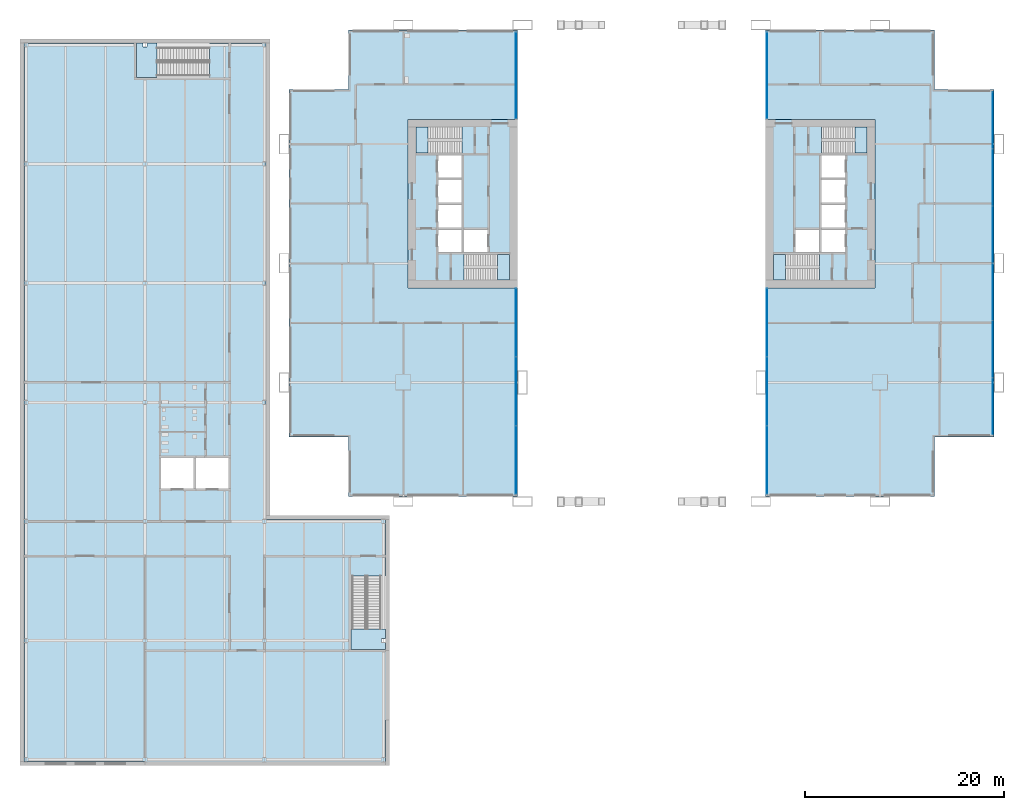
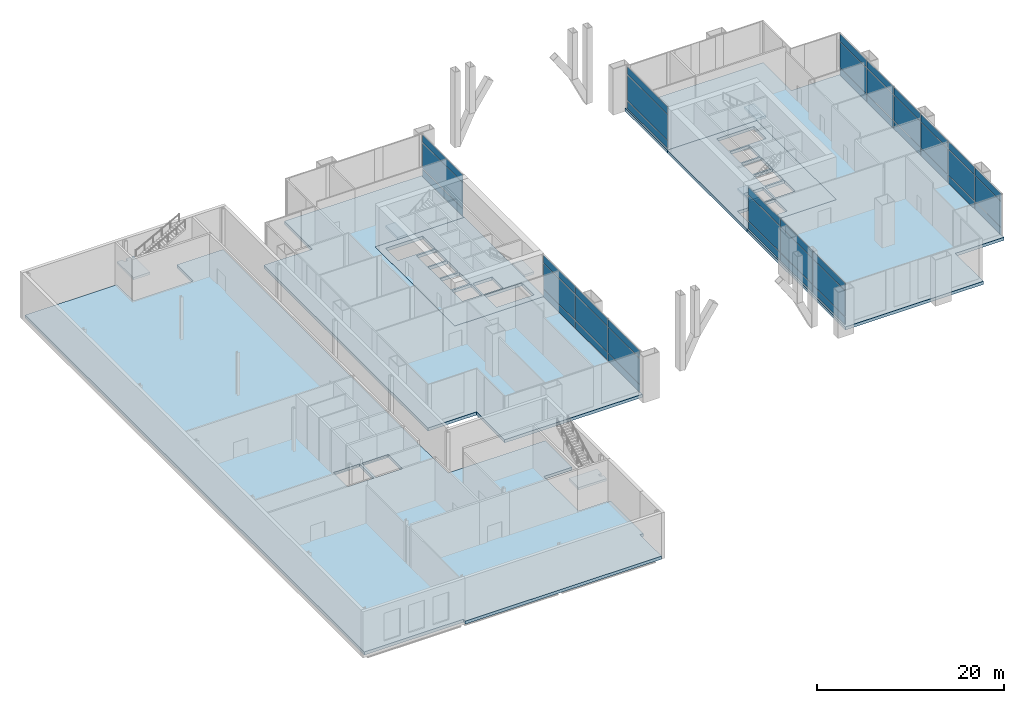
# One storey, part 15 of 25: 42 plates, 11 slabs, 11 elements without a shape of their own.
"""IFC4 building model written with IfcOpenShell, lengths in metres."""

import ifcopenshell
import ifcopenshell.guid

model = None  # the IFC model being written
_history = None  # IfcOwnerHistory: only IFC2X3 demands one
_inside = {}  # id of a spatial element -> (the spatial element, [elements in it])
_under = {}  # id of a project, library or spatial element -> (it, [spatial elements below it])
_declared = {}  # id of a project -> (the project, [libraries it declares])
_typed = {}  # id of a type object -> (the type object, [elements of that type])
_made_of = {}  # id of a material, layer set ... -> (it, [elements and type objects made of it])


def new_model(schema):
    """Start an empty IFC model of exactly this schema.

    Asked for "IFC4X3", IfcOpenShell would pick the latest addendum, in which some entities
    have other attributes; the version numbers below select the first issue.
    IFC2X3 requires an IfcOwnerHistory on every rooted entity: one is made here for all.
    """
    global model, _history
    if schema == "IFC4X3":
        model = ifcopenshell.file(schema_version=(4, 3, 0, 0))
    else:
        model = ifcopenshell.file(schema=schema)
    _inside.clear()
    _under.clear()
    _declared.clear()
    _typed.clear()
    _made_of.clear()
    _history = None
    if model.schema == "IFC2X3":
        org = make("IfcOrganization", Name="unknown")
        user = make(
            "IfcPersonAndOrganization",
            ThePerson=make("IfcPerson", FamilyName="unknown"),
            TheOrganization=org,
        )
        app = make(
            "IfcApplication",
            ApplicationDeveloper=org,
            Version="unknown",
            ApplicationFullName="unknown",
            ApplicationIdentifier="unknown",
        )
        _history = make(
            "IfcOwnerHistory",
            OwningUser=user,
            OwningApplication=app,
            ChangeAction="ADDED",
            CreationDate=0,
        )
    return model


def make(cls, **values):
    """One entity of the class cls with the attributes given. An attribute that is None is left unset."""
    return model.create_entity(
        cls, **{name: value for name, value in values.items() if value is not None}
    )


def rooted(cls, **values):
    """An entity with a GlobalId (a new one), such as an element, a storey or a relation."""
    return make(cls, GlobalId=ifcopenshell.guid.new(), OwnerHistory=_history, **values)


def si_unit(unit_type, name, prefix=None):
    """IfcSIUnit, for example si_unit("LENGTHUNIT", "METRE", prefix="MILLI")."""
    return make("IfcSIUnit", UnitType=unit_type, Prefix=prefix, Name=name)


def assignment(units):
    """IfcUnitAssignment: the units of a project."""
    return None if units is None else make("IfcUnitAssignment", Units=units)


def point(xyz):
    """IfcCartesianPoint."""
    return None if xyz is None else make("IfcCartesianPoint", Coordinates=xyz)


def direction(xyz):
    """IfcDirection."""
    return None if xyz is None else make("IfcDirection", DirectionRatios=xyz)


def frame(location, z_axis=None, x_axis=None):
    """IfcAxis2Placement3D, a coordinate frame: its origin and axes. An axis left out is left unset."""
    return make(
        "IfcAxis2Placement3D",
        Location=point(location),
        Axis=direction(z_axis),
        RefDirection=direction(x_axis),
    )


def frame_2d(location, x_axis=None):
    """IfcAxis2Placement2D, a coordinate frame in the plane: its origin and x axis."""
    return make(
        "IfcAxis2Placement2D", Location=point(location), RefDirection=direction(x_axis)
    )


def origin():
    """The frame at (0, 0, 0) with its axes left unset."""
    return frame((0.0, 0.0, 0.0))


def origin_2d():
    """The frame at (0, 0) in the plane with its x axis left unset."""
    return frame_2d((0.0, 0.0))


def place(relative_to, where):
    """IfcLocalPlacement: puts the frame where relative to a parent placement (None: the world)."""
    return make(
        "IfcLocalPlacement", PlacementRelTo=relative_to, RelativePlacement=where
    )


def context(
    kind, dimensions, precision=None, world=None, true_north=None, identifier=None
):
    """IfcGeometricRepresentationContext, for example the 3D "Model" context."""
    return make(
        "IfcGeometricRepresentationContext",
        ContextIdentifier=identifier,
        ContextType=kind,
        CoordinateSpaceDimension=dimensions,
        Precision=precision,
        WorldCoordinateSystem=world,
        TrueNorth=true_north,
    )


def subcontext(parent, identifier, kind, view, scale=None):
    """IfcGeometricRepresentationSubContext, for example "Body" below "Model"."""
    return make(
        "IfcGeometricRepresentationSubContext",
        ContextIdentifier=identifier,
        ContextType=kind,
        ParentContext=parent,
        TargetScale=scale,
        TargetView=view,
    )


def project(units=None, contexts=None):
    """IfcProject with its units and contexts."""
    return rooted(
        "IfcProject",
        Name="project",
        RepresentationContexts=contexts,
        UnitsInContext=assignment(units),
    )


def spatial(cls, under=None, at=None, **own):
    """A site, building, storey or space (cls), placed at a placement, below another one or the project."""
    s = rooted(cls, ObjectPlacement=at, **own)
    if under is not None:
        _under.setdefault(under.id(), (under, []))[1].append(s)
    return s


def polyline(points):
    """IfcPolyline through the points."""
    return make("IfcPolyline", Points=[point(p) for p in points])


def profile(cls, at=None, kind="AREA", **sizes):
    """A parametric profile (cls). Its sizes go by their IFC names, for example OverallWidth=200.0."""
    return make(cls, ProfileType=kind, Position=at, **sizes)


def rectangle(**sizes):
    """IfcRectangleProfileDef."""
    return profile("IfcRectangleProfileDef", **sizes)


def outline(outer, holes=None, kind="AREA"):
    """IfcArbitraryClosedProfileDef: a profile drawn as a closed curve; with holes, ...WithVoids."""
    if holes is None:
        return make("IfcArbitraryClosedProfileDef", ProfileType=kind, OuterCurve=outer)
    return make(
        "IfcArbitraryProfileDefWithVoids",
        ProfileType=kind,
        OuterCurve=outer,
        InnerCurves=holes,
    )


def extrude(swept, where, along, depth):
    """IfcExtrudedAreaSolid: the profile swept, set in the frame where, extruded along a direction by depth."""
    return make(
        "IfcExtrudedAreaSolid",
        SweptArea=swept,
        Position=where,
        ExtrudedDirection=direction(along),
        Depth=depth,
    )


def shape(context_of_items, identifier, shape_type, items):
    """IfcShapeRepresentation: the items that make up one representation, for example the "Body"."""
    return make(
        "IfcShapeRepresentation",
        ContextOfItems=context_of_items,
        RepresentationIdentifier=identifier,
        RepresentationType=shape_type,
        Items=items,
    )


def material(Name=None, Category=None):
    """IfcMaterial."""
    return make("IfcMaterial", Name=Name, Category=Category)


def layer(
    of_material, thickness, ventilated=None, Name=None, Category=None, Priority=None
):
    """IfcMaterialLayer: one layer of a wall or slab, of a material (None: an air gap)."""
    return make(
        "IfcMaterialLayer",
        Material=of_material,
        LayerThickness=thickness,
        IsVentilated=ventilated,
        Name=Name,
        Category=Category,
        Priority=Priority,
    )


def layer_set(layers, Name=None):
    """IfcMaterialLayerSet."""
    return make("IfcMaterialLayerSet", MaterialLayers=layers, LayerSetName=Name)


def made_of(thing, what):
    """Note that an element or type object is made of a material, layer set ...; save() writes the relation."""
    if what is not None:
        _made_of.setdefault(what.id(), (what, []))[1].append(thing)
    return thing


def type_object(cls, material=None, **own):
    """A type object (cls), such as IfcWallType, which elements share."""
    return made_of(rooted(cls, **own), material)


def element(
    cls,
    number,
    at=None,
    inside=None,
    cuts=None,
    type_object=None,
    material=None,
    context=None,
    identifier="Body",
    shape_type=None,
    held_by="IfcProductDefinitionShape",
    body=None,
    shapes=None,
    **own,
):
    """One element of the class cls, such as IfcWall. Its Tag is "e" and its number.

    at: its placement. inside: the storey or other place that contains it. cuts: it is an
    opening in that element (IfcRelVoidsElement). A single representation is given by context,
    identifier, shape_type and body (its items); several are given by shapes. held_by: the class
    of the entity that holds the representations. save() writes the other relations.
    """
    e = rooted(cls, Tag="e%d" % number, ObjectPlacement=at, **own)
    if body is not None:
        shapes = [shape(context, identifier, shape_type, body)]
    if shapes is not None:
        e.Representation = make(held_by, Representations=shapes)
    if inside is not None:
        _inside.setdefault(inside.id(), (inside, []))[1].append(e)
    if cuts is not None:
        rooted(
            "IfcRelVoidsElement", RelatingBuildingElement=cuts, RelatedOpeningElement=e
        )
    if type_object is not None:
        _typed.setdefault(type_object.id(), (type_object, []))[1].append(e)
    return made_of(e, material)


def aggregate(whole, parts):
    """IfcRelAggregates: a whole, such as a stair, and the parts it consists of."""
    return rooted("IfcRelAggregates", RelatingObject=whole, RelatedObjects=parts)


def save(model, path):
    """Write the relations noted so far, then the file.

    IfcRelAggregates (storeys below a building ...), IfcRelContainedInSpatialStructure (elements
    in a storey), IfcRelDefinesByType, IfcRelAssociatesMaterial and IfcRelDeclares: one each for
    every whole, place, type object, material and project.
    """
    for whole, parts in _under.values():
        aggregate(whole, parts)
    for where, things in _inside.values():
        rooted(
            "IfcRelContainedInSpatialStructure",
            RelatedElements=things,
            RelatingStructure=where,
        )
    for kind, things in _typed.values():
        rooted("IfcRelDefinesByType", RelatedObjects=things, RelatingType=kind)
    for what, things in _made_of.values():
        rooted("IfcRelAssociatesMaterial", RelatedObjects=things, RelatingMaterial=what)
    for by, libraries in _declared.values():
        rooted("IfcRelDeclares", RelatingContext=by, RelatedDefinitions=libraries)
    model.write(path)


model = new_model("IFC4")

# Units and contexts
model_context = context("Model", 3, precision=1e-05, world=origin(), true_north=direction((0.0, 1.0)))
body_context = subcontext(model_context, "Body", "Model", "MODEL_VIEW")
ifc_project = project(units=[si_unit("LENGTHUNIT", "METRE"), si_unit("AREAUNIT", "SQUARE_METRE"), si_unit("VOLUMEUNIT", "CUBIC_METRE"), si_unit("PLANEANGLEUNIT", "RADIAN"), si_unit("MASSUNIT", "GRAM", prefix="KILO")], contexts=[model_context])

# Site, building, storey
site_placement = place(None, origin())
site = spatial("IfcSite", under=ifc_project, at=site_placement, CompositionType="ELEMENT")
building_placement = place(site_placement, origin())
building = spatial("IfcBuilding", under=site, at=building_placement, Name="Kitamizu Gate Tower and Museum", CompositionType="ELEMENT")
storey_placement = place(building_placement, frame((0.0, 0.0, 12.0)))
storey = spatial("IfcBuildingStorey", under=building, at=storey_placement, Name="L02", CompositionType="ELEMENT", Elevation=12.0)

# Slabs
ifc_material_1 = material(Name="Concrete Fc36", Category="concrete")
ifc_layer_1 = layer(ifc_material_1, 0.39990234375)
ifc_layer_set_1 = layer_set([ifc_layer_1], Name="Concrete Fc36")
slab_type_1 = type_object("IfcSlabType", Name="Core floor slab 400", PredefinedType="FLOOR", material=ifc_layer_set_1)
slab_1_placement = place(storey_placement, frame((0.0, 0.0, -0.39990234375)))
element("IfcSlab", 1, at=slab_1_placement, inside=storey, type_object=slab_type_1, Name="Core floor slab W", PredefinedType="FLOOR", context=body_context, shape_type="SweptSolid", body=[
    extrude(outline(polyline([(12.5, 21.5), (23.5, 21.5), (23.5, 38.5), (12.5, 38.5), (12.5, 21.5)]), holes=[polyline([(15.5, 25.10009765625), (17.89990234375, 25.10009765625), (17.89990234375, 27.39990234375), (15.5, 27.39990234375), (15.5, 25.10009765625)]), polyline([(15.5, 27.60009765625), (17.89990234375, 27.60009765625), (17.89990234375, 29.89990234375), (15.5, 29.89990234375), (15.5, 27.60009765625)]), polyline([(15.5, 30.10009765625), (17.89990234375, 30.10009765625), (17.89990234375, 32.39990234375), (15.5, 32.39990234375), (15.5, 30.10009765625)]), polyline([(15.5, 32.60009765625), (17.89990234375, 32.60009765625), (17.89990234375, 34.89990234375), (15.5, 34.89990234375), (15.5, 32.60009765625)]), polyline([(18.10009765625, 25.10009765625), (20.5, 25.10009765625), (20.5, 27.39990234375), (18.10009765625, 27.39990234375), (18.10009765625, 25.10009765625)]), polyline([(18.1005859375, 22.300048828125), (22.699951171875, 22.300048828125), (22.699951171875, 24.89990234375), (18.1005859375, 24.89990234375), (18.1005859375, 22.300048828125)]), polyline([(13.300048828125, 35.10009765625), (17.8994140625, 35.10009765625), (17.8994140625, 37.699951171875), (13.300048828125, 37.699951171875), (13.300048828125, 35.10009765625)])]), origin(), (0.0, 0.0, 1.0), 0.39990234375),
])
slab_2_placement = place(storey_placement, frame((0.0, 0.0, -0.39990234375)))
element("IfcSlab", 2, at=slab_2_placement, inside=storey, type_object=slab_type_1, Name="Core floor slab E", PredefinedType="FLOOR", context=body_context, shape_type="SweptSolid", body=[
    extrude(outline(polyline([(48.5, 21.5), (59.5, 21.5), (59.5, 38.5), (48.5, 38.5), (48.5, 21.5)]), holes=[polyline([(54.10009765625, 25.10009765625), (56.5, 25.10009765625), (56.5, 27.39990234375), (54.10009765625, 27.39990234375), (54.10009765625, 25.10009765625)]), polyline([(54.10009765625, 27.60009765625), (56.5, 27.60009765625), (56.5, 29.89990234375), (54.10009765625, 29.89990234375), (54.10009765625, 27.60009765625)]), polyline([(54.10009765625, 30.10009765625), (56.5, 30.10009765625), (56.5, 32.39990234375), (54.10009765625, 32.39990234375), (54.10009765625, 30.10009765625)]), polyline([(54.10009765625, 32.60009765625), (56.5, 32.60009765625), (56.5, 34.89990234375), (54.10009765625, 34.89990234375), (54.10009765625, 32.60009765625)]), polyline([(51.5, 25.10009765625), (53.89990234375, 25.10009765625), (53.89990234375, 27.39990234375), (51.5, 27.39990234375), (51.5, 25.10009765625)]), polyline([(49.300048828125, 22.300048828125), (53.8994140625, 22.300048828125), (53.8994140625, 24.89990234375), (49.300048828125, 24.89990234375), (49.300048828125, 22.300048828125)]), polyline([(54.1005859375, 35.10009765625), (58.699951171875, 35.10009765625), (58.699951171875, 37.699951171875), (54.1005859375, 37.699951171875), (54.1005859375, 35.10009765625)])]), origin(), (0.0, 0.0, 1.0), 0.39990234375),
])

# Curtain wall, plates
ifc_material_2 = material(Name="Bronze anodised aluminium frame, tinted triple glazing", Category="aluminium")
curtain_wall_type = type_object("IfcCurtainWallType", Name="CURTAIN WALL TYPE A PODIUM", PredefinedType="NOTDEFINED", material=ifc_material_2)
curtain_wall_1_placement = place(storey_placement, origin())
curtain_wall_1 = element("IfcCurtainWall", 3, at=curtain_wall_1_placement, inside=storey, type_object=curtain_wall_type, Name="Curtain wall CW-A east L02", PredefinedType="NOTDEFINED")
ifc_material_3 = material(Name="Tinted insulating glass", Category="glass")
ifc_layer_2 = layer(ifc_material_3, 0.035888671875)
ifc_layer_set_2 = layer_set([ifc_layer_2], Name="Tinted insulating glass")
plate_type = type_object("IfcPlateType", Name="GLASS PANEL 36 TYPE A", PredefinedType="CURTAIN_PANEL", material=ifc_layer_set_2)
plate_1_placement = place(storey_placement, frame((23.364990234375, 4.197509765625, 0.080078125), z_axis=(0.0, 0.0, 1.0), x_axis=(0.0, 1.0, 0.0)))
plate_1 = element("IfcPlate", 4, at=plate_1_placement, type_object=plate_type, Name="CW-A panel 1.1", PredefinedType="CURTAIN_PANEL", context=body_context, shape_type="SweptSolid", body=[
    extrude(rectangle(XDim=6.794921875, YDim=0.035888671875, at=origin_2d()), origin(), (0.0, 0.0, 1.0), 0.97998046875),
])
plate_2_placement = place(storey_placement, frame((23.364990234375, 4.197509765625, 1.14013671875), z_axis=(0.0, 0.0, 1.0), x_axis=(0.0, 1.0, 0.0)))
plate_2 = element("IfcPlate", 5, at=plate_2_placement, type_object=plate_type, Name="CW-A panel 1.2", PredefinedType="CURTAIN_PANEL", context=body_context, shape_type="SweptSolid", body=[
    extrude(rectangle(XDim=6.794921875, YDim=0.035888671875, at=origin_2d()), origin(), (0.0, 0.0, 1.0), 3.320068359375),
])
plate_3_placement = place(storey_placement, frame((23.364990234375, 4.197509765625, 4.5400390625), z_axis=(0.0, 0.0, 1.0), x_axis=(0.0, 1.0, 0.0)))
plate_3 = element("IfcPlate", 6, at=plate_3_placement, type_object=plate_type, Name="CW-A panel 1.3", PredefinedType="CURTAIN_PANEL", context=body_context, shape_type="SweptSolid", body=[
    extrude(rectangle(XDim=6.794921875, YDim=0.035888671875, at=origin_2d()), origin(), (0.0, 0.0, 1.0), 0.97998046875),
])
plate_4_placement = place(storey_placement, frame((23.364990234375, 11.10498046875, 0.080078125), z_axis=(0.0, 0.0, 1.0), x_axis=(0.0, 1.0, 0.0)))
plate_4 = element("IfcPlate", 7, at=plate_4_placement, type_object=plate_type, Name="CW-A panel 2.1", PredefinedType="CURTAIN_PANEL", context=body_context, shape_type="SweptSolid", body=[
    extrude(rectangle(XDim=6.840087890625, YDim=0.035888671875, at=origin_2d()), origin(), (0.0, 0.0, 1.0), 0.97998046875),
])
plate_5_placement = place(storey_placement, frame((23.364990234375, 11.10498046875, 1.14013671875), z_axis=(0.0, 0.0, 1.0), x_axis=(0.0, 1.0, 0.0)))
plate_5 = element("IfcPlate", 8, at=plate_5_placement, type_object=plate_type, Name="CW-A panel 2.2", PredefinedType="CURTAIN_PANEL", context=body_context, shape_type="SweptSolid", body=[
    extrude(rectangle(XDim=6.840087890625, YDim=0.035888671875, at=origin_2d()), origin(), (0.0, 0.0, 1.0), 3.320068359375),
])
plate_6_placement = place(storey_placement, frame((23.364990234375, 11.10498046875, 4.5400390625), z_axis=(0.0, 0.0, 1.0), x_axis=(0.0, 1.0, 0.0)))
plate_6 = element("IfcPlate", 9, at=plate_6_placement, type_object=plate_type, Name="CW-A panel 2.3", PredefinedType="CURTAIN_PANEL", context=body_context, shape_type="SweptSolid", body=[
    extrude(rectangle(XDim=6.840087890625, YDim=0.035888671875, at=origin_2d()), origin(), (0.0, 0.0, 1.0), 0.97998046875),
])
plate_7_placement = place(storey_placement, frame((23.364990234375, 18.012451171875, 0.080078125), z_axis=(0.0, 0.0, 1.0), x_axis=(0.0, 1.0, 0.0)))
plate_7 = element("IfcPlate", 10, at=plate_7_placement, type_object=plate_type, Name="CW-A panel 3.1", PredefinedType="CURTAIN_PANEL", context=body_context, shape_type="SweptSolid", body=[
    extrude(rectangle(XDim=6.794921875, YDim=0.035888671875, at=origin_2d()), origin(), (0.0, 0.0, 1.0), 0.97998046875),
])
plate_8_placement = place(storey_placement, frame((23.364990234375, 18.012451171875, 1.14013671875), z_axis=(0.0, 0.0, 1.0), x_axis=(0.0, 1.0, 0.0)))
plate_8 = element("IfcPlate", 11, at=plate_8_placement, type_object=plate_type, Name="CW-A panel 3.2", PredefinedType="CURTAIN_PANEL", context=body_context, shape_type="SweptSolid", body=[
    extrude(rectangle(XDim=6.794921875, YDim=0.035888671875, at=origin_2d()), origin(), (0.0, 0.0, 1.0), 3.320068359375),
])
plate_9_placement = place(storey_placement, frame((23.364990234375, 18.012451171875, 4.5400390625), z_axis=(0.0, 0.0, 1.0), x_axis=(0.0, 1.0, 0.0)))
plate_9 = element("IfcPlate", 12, at=plate_9_placement, type_object=plate_type, Name="CW-A panel 3.3", PredefinedType="CURTAIN_PANEL", context=body_context, shape_type="SweptSolid", body=[
    extrude(rectangle(XDim=6.794921875, YDim=0.035888671875, at=origin_2d()), origin(), (0.0, 0.0, 1.0), 0.97998046875),
])
aggregate(curtain_wall_1, [plate_1, plate_2, plate_3, plate_4, plate_5, plate_6, plate_7, plate_8, plate_9])

curtain_wall_2_placement = place(storey_placement, origin())
curtain_wall_2 = element("IfcCurtainWall", 13, at=curtain_wall_2_placement, inside=storey, type_object=curtain_wall_type, Name="Curtain wall CW-A east L02", PredefinedType="NOTDEFINED")
plate_10_placement = place(storey_placement, frame((23.364990234375, 42.89501953125, 0.080078125), z_axis=(0.0, 0.0, 1.0), x_axis=(0.0, 1.0, 0.0)))
plate_10 = element("IfcPlate", 14, at=plate_10_placement, type_object=plate_type, Name="CW-A panel 1.1", PredefinedType="CURTAIN_PANEL", context=body_context, shape_type="SweptSolid", body=[
    extrude(rectangle(XDim=8.610107421875, YDim=0.035888671875, at=origin_2d()), origin(), (0.0, 0.0, 1.0), 0.97998046875),
])
plate_11_placement = place(storey_placement, frame((23.364990234375, 42.89501953125, 1.14013671875), z_axis=(0.0, 0.0, 1.0), x_axis=(0.0, 1.0, 0.0)))
plate_11 = element("IfcPlate", 15, at=plate_11_placement, type_object=plate_type, Name="CW-A panel 1.2", PredefinedType="CURTAIN_PANEL", context=body_context, shape_type="SweptSolid", body=[
    extrude(rectangle(XDim=8.610107421875, YDim=0.035888671875, at=origin_2d()), origin(), (0.0, 0.0, 1.0), 3.320068359375),
])
plate_12_placement = place(storey_placement, frame((23.364990234375, 42.89501953125, 4.5400390625), z_axis=(0.0, 0.0, 1.0), x_axis=(0.0, 1.0, 0.0)))
plate_12 = element("IfcPlate", 16, at=plate_12_placement, type_object=plate_type, Name="CW-A panel 1.3", PredefinedType="CURTAIN_PANEL", context=body_context, shape_type="SweptSolid", body=[
    extrude(rectangle(XDim=8.610107421875, YDim=0.035888671875, at=origin_2d()), origin(), (0.0, 0.0, 1.0), 0.97998046875),
])
aggregate(curtain_wall_2, [plate_10, plate_11, plate_12])

curtain_wall_3_placement = place(storey_placement, origin())
curtain_wall_3 = element("IfcCurtainWall", 17, at=curtain_wall_3_placement, inside=storey, type_object=curtain_wall_type, Name="Curtain wall CW-A west L02", PredefinedType="NOTDEFINED")
plate_13_placement = place(storey_placement, frame((48.635009765625, 4.197509765625, 0.080078125), z_axis=(0.0, 0.0, 1.0), x_axis=(0.0, 1.0, 0.0)))
plate_13 = element("IfcPlate", 18, at=plate_13_placement, type_object=plate_type, Name="CW-A panel 1.1", PredefinedType="CURTAIN_PANEL", context=body_context, shape_type="SweptSolid", body=[
    extrude(rectangle(XDim=6.794921875, YDim=0.035888671875, at=origin_2d()), origin(), (0.0, 0.0, 1.0), 0.97998046875),
])
plate_14_placement = place(storey_placement, frame((48.635009765625, 4.197509765625, 1.14013671875), z_axis=(0.0, 0.0, 1.0), x_axis=(0.0, 1.0, 0.0)))
plate_14 = element("IfcPlate", 19, at=plate_14_placement, type_object=plate_type, Name="CW-A panel 1.2", PredefinedType="CURTAIN_PANEL", context=body_context, shape_type="SweptSolid", body=[
    extrude(rectangle(XDim=6.794921875, YDim=0.035888671875, at=origin_2d()), origin(), (0.0, 0.0, 1.0), 3.320068359375),
])
plate_15_placement = place(storey_placement, frame((48.635009765625, 4.197509765625, 4.5400390625), z_axis=(0.0, 0.0, 1.0), x_axis=(0.0, 1.0, 0.0)))
plate_15 = element("IfcPlate", 20, at=plate_15_placement, type_object=plate_type, Name="CW-A panel 1.3", PredefinedType="CURTAIN_PANEL", context=body_context, shape_type="SweptSolid", body=[
    extrude(rectangle(XDim=6.794921875, YDim=0.035888671875, at=origin_2d()), origin(), (0.0, 0.0, 1.0), 0.97998046875),
])
plate_16_placement = place(storey_placement, frame((48.635009765625, 11.10498046875, 0.080078125), z_axis=(0.0, 0.0, 1.0), x_axis=(0.0, 1.0, 0.0)))
plate_16 = element("IfcPlate", 21, at=plate_16_placement, type_object=plate_type, Name="CW-A panel 2.1", PredefinedType="CURTAIN_PANEL", context=body_context, shape_type="SweptSolid", body=[
    extrude(rectangle(XDim=6.840087890625, YDim=0.035888671875, at=origin_2d()), origin(), (0.0, 0.0, 1.0), 0.97998046875),
])
plate_17_placement = place(storey_placement, frame((48.635009765625, 11.10498046875, 1.14013671875), z_axis=(0.0, 0.0, 1.0), x_axis=(0.0, 1.0, 0.0)))
plate_17 = element("IfcPlate", 22, at=plate_17_placement, type_object=plate_type, Name="CW-A panel 2.2", PredefinedType="CURTAIN_PANEL", context=body_context, shape_type="SweptSolid", body=[
    extrude(rectangle(XDim=6.840087890625, YDim=0.035888671875, at=origin_2d()), origin(), (0.0, 0.0, 1.0), 3.320068359375),
])
plate_18_placement = place(storey_placement, frame((48.635009765625, 11.10498046875, 4.5400390625), z_axis=(0.0, 0.0, 1.0), x_axis=(0.0, 1.0, 0.0)))
plate_18 = element("IfcPlate", 23, at=plate_18_placement, type_object=plate_type, Name="CW-A panel 2.3", PredefinedType="CURTAIN_PANEL", context=body_context, shape_type="SweptSolid", body=[
    extrude(rectangle(XDim=6.840087890625, YDim=0.035888671875, at=origin_2d()), origin(), (0.0, 0.0, 1.0), 0.97998046875),
])
plate_19_placement = place(storey_placement, frame((48.635009765625, 18.012451171875, 0.080078125), z_axis=(0.0, 0.0, 1.0), x_axis=(0.0, 1.0, 0.0)))
plate_19 = element("IfcPlate", 24, at=plate_19_placement, type_object=plate_type, Name="CW-A panel 3.1", PredefinedType="CURTAIN_PANEL", context=body_context, shape_type="SweptSolid", body=[
    extrude(rectangle(XDim=6.794921875, YDim=0.035888671875, at=origin_2d()), origin(), (0.0, 0.0, 1.0), 0.97998046875),
])
plate_20_placement = place(storey_placement, frame((48.635009765625, 18.012451171875, 1.14013671875), z_axis=(0.0, 0.0, 1.0), x_axis=(0.0, 1.0, 0.0)))
plate_20 = element("IfcPlate", 25, at=plate_20_placement, type_object=plate_type, Name="CW-A panel 3.2", PredefinedType="CURTAIN_PANEL", context=body_context, shape_type="SweptSolid", body=[
    extrude(rectangle(XDim=6.794921875, YDim=0.035888671875, at=origin_2d()), origin(), (0.0, 0.0, 1.0), 3.320068359375),
])
plate_21_placement = place(storey_placement, frame((48.635009765625, 18.012451171875, 4.5400390625), z_axis=(0.0, 0.0, 1.0), x_axis=(0.0, 1.0, 0.0)))
plate_21 = element("IfcPlate", 26, at=plate_21_placement, type_object=plate_type, Name="CW-A panel 3.3", PredefinedType="CURTAIN_PANEL", context=body_context, shape_type="SweptSolid", body=[
    extrude(rectangle(XDim=6.794921875, YDim=0.035888671875, at=origin_2d()), origin(), (0.0, 0.0, 1.0), 0.97998046875),
])
aggregate(curtain_wall_3, [plate_13, plate_14, plate_15, plate_16, plate_17, plate_18, plate_19, plate_20, plate_21])

curtain_wall_4_placement = place(storey_placement, origin())
curtain_wall_4 = element("IfcCurtainWall", 27, at=curtain_wall_4_placement, inside=storey, type_object=curtain_wall_type, Name="Curtain wall CW-A west L02", PredefinedType="NOTDEFINED")
plate_22_placement = place(storey_placement, frame((48.635009765625, 42.89501953125, 0.080078125), z_axis=(0.0, 0.0, 1.0), x_axis=(0.0, 1.0, 0.0)))
plate_22 = element("IfcPlate", 28, at=plate_22_placement, type_object=plate_type, Name="CW-A panel 1.1", PredefinedType="CURTAIN_PANEL", context=body_context, shape_type="SweptSolid", body=[
    extrude(rectangle(XDim=8.610107421875, YDim=0.035888671875, at=origin_2d()), origin(), (0.0, 0.0, 1.0), 0.97998046875),
])
plate_23_placement = place(storey_placement, frame((48.635009765625, 42.89501953125, 1.14013671875), z_axis=(0.0, 0.0, 1.0), x_axis=(0.0, 1.0, 0.0)))
plate_23 = element("IfcPlate", 29, at=plate_23_placement, type_object=plate_type, Name="CW-A panel 1.2", PredefinedType="CURTAIN_PANEL", context=body_context, shape_type="SweptSolid", body=[
    extrude(rectangle(XDim=8.610107421875, YDim=0.035888671875, at=origin_2d()), origin(), (0.0, 0.0, 1.0), 3.320068359375),
])
plate_24_placement = place(storey_placement, frame((48.635009765625, 42.89501953125, 4.5400390625), z_axis=(0.0, 0.0, 1.0), x_axis=(0.0, 1.0, 0.0)))
plate_24 = element("IfcPlate", 30, at=plate_24_placement, type_object=plate_type, Name="CW-A panel 1.3", PredefinedType="CURTAIN_PANEL", context=body_context, shape_type="SweptSolid", body=[
    extrude(rectangle(XDim=8.610107421875, YDim=0.035888671875, at=origin_2d()), origin(), (0.0, 0.0, 1.0), 0.97998046875),
])
aggregate(curtain_wall_4, [plate_22, plate_23, plate_24])

curtain_wall_5_placement = place(storey_placement, origin())
curtain_wall_5 = element("IfcCurtainWall", 31, at=curtain_wall_5_placement, inside=storey, type_object=curtain_wall_type, Name="Curtain wall CW-A east L02", PredefinedType="NOTDEFINED")
plate_25_placement = place(storey_placement, frame((71.364990234375, 9.6142578125, 0.080078125), z_axis=(0.0, 0.0, 1.0), x_axis=(0.0, 1.0, 0.0)))
plate_25 = element("IfcPlate", 32, at=plate_25_placement, type_object=plate_type, Name="CW-A panel 1.1", PredefinedType="CURTAIN_PANEL", context=body_context, shape_type="SweptSolid", body=[
    extrude(rectangle(XDim=5.62841796875, YDim=0.035888671875, at=origin_2d()), origin(), (0.0, 0.0, 1.0), 0.97998046875),
])
plate_26_placement = place(storey_placement, frame((71.364990234375, 9.6142578125, 1.14013671875), z_axis=(0.0, 0.0, 1.0), x_axis=(0.0, 1.0, 0.0)))
plate_26 = element("IfcPlate", 33, at=plate_26_placement, type_object=plate_type, Name="CW-A panel 1.2", PredefinedType="CURTAIN_PANEL", context=body_context, shape_type="SweptSolid", body=[
    extrude(rectangle(XDim=5.62841796875, YDim=0.035888671875, at=origin_2d()), origin(), (0.0, 0.0, 1.0), 3.320068359375),
])
plate_27_placement = place(storey_placement, frame((71.364990234375, 9.6142578125, 4.5400390625), z_axis=(0.0, 0.0, 1.0), x_axis=(0.0, 1.0, 0.0)))
plate_27 = element("IfcPlate", 34, at=plate_27_placement, type_object=plate_type, Name="CW-A panel 1.3", PredefinedType="CURTAIN_PANEL", context=body_context, shape_type="SweptSolid", body=[
    extrude(rectangle(XDim=5.62841796875, YDim=0.035888671875, at=origin_2d()), origin(), (0.0, 0.0, 1.0), 0.97998046875),
])
plate_28_placement = place(storey_placement, frame((71.364990234375, 15.35498046875, 0.080078125), z_axis=(0.0, 0.0, 1.0), x_axis=(0.0, 1.0, 0.0)))
plate_28 = element("IfcPlate", 35, at=plate_28_placement, type_object=plate_type, Name="CW-A panel 2.1", PredefinedType="CURTAIN_PANEL", context=body_context, shape_type="SweptSolid", body=[
    extrude(rectangle(XDim=5.67333984375, YDim=0.035888671875, at=origin_2d()), origin(), (0.0, 0.0, 1.0), 0.97998046875),
])
plate_29_placement = place(storey_placement, frame((71.364990234375, 15.35498046875, 1.14013671875), z_axis=(0.0, 0.0, 1.0), x_axis=(0.0, 1.0, 0.0)))
plate_29 = element("IfcPlate", 36, at=plate_29_placement, type_object=plate_type, Name="CW-A panel 2.2", PredefinedType="CURTAIN_PANEL", context=body_context, shape_type="SweptSolid", body=[
    extrude(rectangle(XDim=5.67333984375, YDim=0.035888671875, at=origin_2d()), origin(), (0.0, 0.0, 1.0), 3.320068359375),
])
plate_30_placement = place(storey_placement, frame((71.364990234375, 15.35498046875, 4.5400390625), z_axis=(0.0, 0.0, 1.0), x_axis=(0.0, 1.0, 0.0)))
plate_30 = element("IfcPlate", 37, at=plate_30_placement, type_object=plate_type, Name="CW-A panel 2.3", PredefinedType="CURTAIN_PANEL", context=body_context, shape_type="SweptSolid", body=[
    extrude(rectangle(XDim=5.67333984375, YDim=0.035888671875, at=origin_2d()), origin(), (0.0, 0.0, 1.0), 0.97998046875),
])
plate_31_placement = place(storey_placement, frame((71.364990234375, 21.118408203125, 0.080078125), z_axis=(0.0, 0.0, 1.0), x_axis=(0.0, 1.0, 0.0)))
plate_31 = element("IfcPlate", 38, at=plate_31_placement, type_object=plate_type, Name="CW-A panel 3.1", PredefinedType="CURTAIN_PANEL", context=body_context, shape_type="SweptSolid", body=[
    extrude(rectangle(XDim=5.67333984375, YDim=0.035888671875, at=origin_2d()), origin(), (0.0, 0.0, 1.0), 0.97998046875),
])
plate_32_placement = place(storey_placement, frame((71.364990234375, 21.118408203125, 1.14013671875), z_axis=(0.0, 0.0, 1.0), x_axis=(0.0, 1.0, 0.0)))
plate_32 = element("IfcPlate", 39, at=plate_32_placement, type_object=plate_type, Name="CW-A panel 3.2", PredefinedType="CURTAIN_PANEL", context=body_context, shape_type="SweptSolid", body=[
    extrude(rectangle(XDim=5.67333984375, YDim=0.035888671875, at=origin_2d()), origin(), (0.0, 0.0, 1.0), 3.320068359375),
])
plate_33_placement = place(storey_placement, frame((71.364990234375, 21.118408203125, 4.5400390625), z_axis=(0.0, 0.0, 1.0), x_axis=(0.0, 1.0, 0.0)))
plate_33 = element("IfcPlate", 40, at=plate_33_placement, type_object=plate_type, Name="CW-A panel 3.3", PredefinedType="CURTAIN_PANEL", context=body_context, shape_type="SweptSolid", body=[
    extrude(rectangle(XDim=5.67333984375, YDim=0.035888671875, at=origin_2d()), origin(), (0.0, 0.0, 1.0), 0.97998046875),
])
plate_34_placement = place(storey_placement, frame((71.364990234375, 26.881591796875, 0.080078125), z_axis=(0.0, 0.0, 1.0), x_axis=(0.0, 1.0, 0.0)))
plate_34 = element("IfcPlate", 41, at=plate_34_placement, type_object=plate_type, Name="CW-A panel 4.1", PredefinedType="CURTAIN_PANEL", context=body_context, shape_type="SweptSolid", body=[
    extrude(rectangle(XDim=5.67333984375, YDim=0.035888671875, at=origin_2d()), origin(), (0.0, 0.0, 1.0), 0.97998046875),
])
plate_35_placement = place(storey_placement, frame((71.364990234375, 26.881591796875, 1.14013671875), z_axis=(0.0, 0.0, 1.0), x_axis=(0.0, 1.0, 0.0)))
plate_35 = element("IfcPlate", 42, at=plate_35_placement, type_object=plate_type, Name="CW-A panel 4.2", PredefinedType="CURTAIN_PANEL", context=body_context, shape_type="SweptSolid", body=[
    extrude(rectangle(XDim=5.67333984375, YDim=0.035888671875, at=origin_2d()), origin(), (0.0, 0.0, 1.0), 3.320068359375),
])
plate_36_placement = place(storey_placement, frame((71.364990234375, 26.881591796875, 4.5400390625), z_axis=(0.0, 0.0, 1.0), x_axis=(0.0, 1.0, 0.0)))
plate_36 = element("IfcPlate", 43, at=plate_36_placement, type_object=plate_type, Name="CW-A panel 4.3", PredefinedType="CURTAIN_PANEL", context=body_context, shape_type="SweptSolid", body=[
    extrude(rectangle(XDim=5.67333984375, YDim=0.035888671875, at=origin_2d()), origin(), (0.0, 0.0, 1.0), 0.97998046875),
])
plate_37_placement = place(storey_placement, frame((71.364990234375, 32.64501953125, 0.080078125), z_axis=(0.0, 0.0, 1.0), x_axis=(0.0, 1.0, 0.0)))
plate_37 = element("IfcPlate", 44, at=plate_37_placement, type_object=plate_type, Name="CW-A panel 5.1", PredefinedType="CURTAIN_PANEL", context=body_context, shape_type="SweptSolid", body=[
    extrude(rectangle(XDim=5.67333984375, YDim=0.035888671875, at=origin_2d()), origin(), (0.0, 0.0, 1.0), 0.97998046875),
])
plate_38_placement = place(storey_placement, frame((71.364990234375, 32.64501953125, 1.14013671875), z_axis=(0.0, 0.0, 1.0), x_axis=(0.0, 1.0, 0.0)))
plate_38 = element("IfcPlate", 45, at=plate_38_placement, type_object=plate_type, Name="CW-A panel 5.2", PredefinedType="CURTAIN_PANEL", context=body_context, shape_type="SweptSolid", body=[
    extrude(rectangle(XDim=5.67333984375, YDim=0.035888671875, at=origin_2d()), origin(), (0.0, 0.0, 1.0), 3.320068359375),
])
plate_39_placement = place(storey_placement, frame((71.364990234375, 32.64501953125, 4.5400390625), z_axis=(0.0, 0.0, 1.0), x_axis=(0.0, 1.0, 0.0)))
plate_39 = element("IfcPlate", 46, at=plate_39_placement, type_object=plate_type, Name="CW-A panel 5.3", PredefinedType="CURTAIN_PANEL", context=body_context, shape_type="SweptSolid", body=[
    extrude(rectangle(XDim=5.67333984375, YDim=0.035888671875, at=origin_2d()), origin(), (0.0, 0.0, 1.0), 0.97998046875),
])
plate_40_placement = place(storey_placement, frame((71.364990234375, 38.3857421875, 0.080078125), z_axis=(0.0, 0.0, 1.0), x_axis=(0.0, 1.0, 0.0)))
plate_40 = element("IfcPlate", 47, at=plate_40_placement, type_object=plate_type, Name="CW-A panel 6.1", PredefinedType="CURTAIN_PANEL", context=body_context, shape_type="SweptSolid", body=[
    extrude(rectangle(XDim=5.62841796875, YDim=0.035888671875, at=origin_2d()), origin(), (0.0, 0.0, 1.0), 0.97998046875),
])
plate_41_placement = place(storey_placement, frame((71.364990234375, 38.3857421875, 1.14013671875), z_axis=(0.0, 0.0, 1.0), x_axis=(0.0, 1.0, 0.0)))
plate_41 = element("IfcPlate", 48, at=plate_41_placement, type_object=plate_type, Name="CW-A panel 6.2", PredefinedType="CURTAIN_PANEL", context=body_context, shape_type="SweptSolid", body=[
    extrude(rectangle(XDim=5.62841796875, YDim=0.035888671875, at=origin_2d()), origin(), (0.0, 0.0, 1.0), 3.320068359375),
])
plate_42_placement = place(storey_placement, frame((71.364990234375, 38.3857421875, 4.5400390625), z_axis=(0.0, 0.0, 1.0), x_axis=(0.0, 1.0, 0.0)))
plate_42 = element("IfcPlate", 49, at=plate_42_placement, type_object=plate_type, Name="CW-A panel 6.3", PredefinedType="CURTAIN_PANEL", context=body_context, shape_type="SweptSolid", body=[
    extrude(rectangle(XDim=5.62841796875, YDim=0.035888671875, at=origin_2d()), origin(), (0.0, 0.0, 1.0), 0.97998046875),
])
aggregate(curtain_wall_5, [plate_25, plate_26, plate_27, plate_28, plate_29, plate_30, plate_31, plate_32, plate_33, plate_34, plate_35, plate_36, plate_37, plate_38, plate_39, plate_40, plate_41, plate_42])

# Slab
ifc_material_4 = material(Name="Concrete Fc30", Category="concrete")
ifc_layer_3 = layer(ifc_material_4, 0.39990234375)
ifc_layer_set_3 = layer_set([ifc_layer_3], Name="Concrete Fc30")
slab_type_2 = type_object("IfcSlabType", Name="Museum composite floor slab 400", PredefinedType="FLOOR", material=ifc_layer_set_3)
slab_3_placement = place(storey_placement, frame((0.0, 0.0, -0.39990234375)))
element("IfcSlab", 50, at=slab_3_placement, inside=storey, type_object=slab_type_2, Name="Floor slab L02.1", PredefinedType="FLOOR", context=body_context, shape_type="SweptSolid", body=[
    extrude(outline(polyline([(-14.875, 42.72509765625), (-7.50048828125, 42.72509765625), (-7.50048828125, 46.199951171875), (-1.800048828125, 46.199951171875), (-1.800048828125, -1.800048828125), (10.199951171875, -1.800048828125), (10.199951171875, -7.50048828125), (6.72509765625, -7.50048828125), (6.72509765625, -14.875), (10.199951171875, -14.875), (10.199951171875, -15.0), (10.60009765625, -15.0), (10.60009765625, -22.0), (10.199951171875, -22.0), (10.199951171875, -26.199951171875), (10.199951171875, -26.60009765625), (-2.0, -26.60009765625), (-14.0, -26.60009765625), (-14.0, -26.199951171875), (-26.199951171875, -26.199951171875), (-26.199951171875, 46.199951171875), (-14.875, 46.199951171875), (-14.875, 42.72509765625)]), holes=[polyline([(-5.625, 1.324951171875), (-5.625, 4.375), (-8.0, 4.375), (-8.875, 4.375), (-8.875, 1.324951171875), (-5.625, 1.324951171875)]), polyline([(-12.375, 1.324951171875), (-9.125, 1.324951171875), (-9.125, 4.375), (-12.375, 4.375), (-12.375, 1.324951171875)])]), origin(), (0.0, 0.0, 1.0), 0.39990234375),
])

# Stair, slab
ifc_material_5 = material(Name="Concrete Fc30", Category="concrete")
stair_type_1 = type_object("IfcStairType", Name="Museum stair 40 risers", PredefinedType="HALF_TURN_STAIR", material=ifc_material_5)
stair_1_placement = place(storey_placement, origin())
stair_1 = element("IfcStair", 51, at=stair_1_placement, inside=storey, type_object=stair_type_1, Name="Exit stair S", PredefinedType="HALF_TURN_STAIR")
ifc_material_6 = material(Name="Concrete Fc30", Category="concrete")
ifc_layer_4 = layer(ifc_material_6, 0.300048828125)
ifc_layer_set_4 = layer_set([ifc_layer_4], Name="Concrete Fc30")
slab_type_3 = type_object("IfcSlabType", Name="Museum stair landing 300", PredefinedType="LANDING", material=ifc_layer_set_4)
slab_4_placement = place(storey_placement, frame((0.0, 0.0, 2.699951171875)))
slab_4 = element("IfcSlab", 52, at=slab_4_placement, type_object=slab_type_3, Name="MST1 landing 1", PredefinedType="LANDING", context=body_context, shape_type="SweptSolid", body=[
    extrude(outline(polyline([(10.199951171875, -14.875), (6.72509765625, -14.875), (6.72509765625, -12.820068359375), (10.199951171875, -12.820068359375), (10.199951171875, -13.800048828125), (9.800048828125, -13.800048828125), (9.800048828125, -14.199951171875), (10.199951171875, -14.199951171875), (10.199951171875, -14.875)])), origin(), (0.0, 0.0, 1.0), 0.300048828125),
])
aggregate(stair_1, [slab_4])

stair_2_placement = place(storey_placement, origin())
stair_2 = element("IfcStair", 53, at=stair_2_placement, inside=storey, type_object=stair_type_1, Name="Exit stair N", PredefinedType="HALF_TURN_STAIR")
slab_5_placement = place(storey_placement, frame((0.0, 0.0, 2.699951171875)))
slab_5 = element("IfcSlab", 54, at=slab_5_placement, type_object=slab_type_3, Name="MST2 landing 1", PredefinedType="LANDING", context=body_context, shape_type="SweptSolid", body=[
    extrude(outline(polyline([(-12.820068359375, 46.199951171875), (-12.820068359375, 42.72509765625), (-14.875, 42.72509765625), (-14.875, 46.199951171875), (-14.199951171875, 46.199951171875), (-14.199951171875, 45.800048828125), (-13.800048828125, 45.800048828125), (-13.800048828125, 46.199951171875), (-12.820068359375, 46.199951171875)])), origin(), (0.0, 0.0, 1.0), 0.300048828125),
])
aggregate(stair_2, [slab_5])

# Slabs
ifc_material_7 = material(Name="Concrete Fc36", Category="concrete")
ifc_layer_5 = layer(ifc_material_7, 0.39990234375)
ifc_layer_set_5 = layer_set([ifc_layer_5], Name="Concrete Fc36")
slab_type_4 = type_object("IfcSlabType", Name="Post tensioned flat slab 400", PredefinedType="FLOOR", material=ifc_layer_set_5)
slab_6_placement = place(storey_placement, frame((0.0, 0.0, -0.39990234375)))
element("IfcSlab", 55, at=slab_6_placement, inside=storey, type_object=slab_type_4, Name="Floor slab L02-1", PredefinedType="FLOOR", context=body_context, shape_type="SweptSolid", body=[
    extrude(outline(polyline([(6.5, 47.5), (23.5, 47.5), (23.5, 38.5), (12.5, 38.5), (12.5, 21.5), (23.5, 21.5), (23.5, 0.5), (6.5, 0.5), (6.5, 6.5), (0.5, 6.5), (0.5, 41.5), (6.5, 41.5), (6.5, 47.5)])), origin(), (0.0, 0.0, 1.0), 0.39990234375),
])
slab_7_placement = place(storey_placement, frame((0.0, 0.0, -0.39990234375)))
element("IfcSlab", 56, at=slab_7_placement, inside=storey, type_object=slab_type_4, Name="Floor slab L02-2", PredefinedType="FLOOR", context=body_context, shape_type="SweptSolid", body=[
    extrude(outline(polyline([(71.5, 6.5), (65.5, 6.5), (65.5, 0.5), (48.5, 0.5), (48.5, 21.5), (59.5, 21.5), (59.5, 38.5), (48.5, 38.5), (48.5, 47.5), (65.5, 47.5), (65.5, 41.5), (71.5, 41.5), (71.5, 6.5)])), origin(), (0.0, 0.0, 1.0), 0.39990234375),
])

# Stair, slab
ifc_material_8 = material(Name="Concrete Fc42", Category="concrete")
stair_type_2 = type_object("IfcStairType", Name="Exit stair 1200 wide 200 rise 243 going", PredefinedType="HALF_TURN_STAIR", material=ifc_material_8)
stair_3_placement = place(storey_placement, origin())
stair_3 = element("IfcStair", 57, at=stair_3_placement, inside=storey, type_object=stair_type_2, Name="Exit stair ST1", PredefinedType="HALF_TURN_STAIR")
ifc_material_9 = material(Name="Concrete Fc42", Category="concrete")
ifc_layer_6 = layer(ifc_material_9, 0.300048828125)
ifc_layer_set_6 = layer_set([ifc_layer_6], Name="Concrete Fc42")
slab_type_5 = type_object("IfcSlabType", Name="Stair landing 300", PredefinedType="LANDING", material=ifc_layer_set_6)
slab_8_placement = place(storey_placement, frame((0.0, 0.0, 2.699951171875)))
slab_8 = element("IfcSlab", 58, at=slab_8_placement, type_object=slab_type_5, Name="ST1 landing 1", PredefinedType="LANDING", context=body_context, shape_type="SweptSolid", body=[
    extrude(outline(polyline([(21.5, 22.300048828125), (22.699951171875, 22.300048828125), (22.699951171875, 24.89990234375), (21.5, 24.89990234375), (21.5, 22.300048828125)])), origin(), (0.0, 0.0, 1.0), 0.300048828125),
])
aggregate(stair_3, [slab_8])

stair_4_placement = place(storey_placement, origin())
stair_4 = element("IfcStair", 59, at=stair_4_placement, inside=storey, type_object=stair_type_2, Name="Exit stair ST2", PredefinedType="HALF_TURN_STAIR")
slab_9_placement = place(storey_placement, frame((0.0, 0.0, 2.699951171875)))
slab_9 = element("IfcSlab", 60, at=slab_9_placement, type_object=slab_type_5, Name="ST2 landing 1", PredefinedType="LANDING", context=body_context, shape_type="SweptSolid", body=[
    extrude(outline(polyline([(13.300048828125, 35.10009765625), (14.5, 35.10009765625), (14.5, 37.699951171875), (13.300048828125, 37.699951171875), (13.300048828125, 35.10009765625)])), origin(), (0.0, 0.0, 1.0), 0.300048828125),
])
aggregate(stair_4, [slab_9])

stair_5_placement = place(storey_placement, origin())
stair_5 = element("IfcStair", 61, at=stair_5_placement, inside=storey, type_object=stair_type_2, Name="Exit stair ST3", PredefinedType="HALF_TURN_STAIR")
slab_10_placement = place(storey_placement, frame((0.0, 0.0, 2.699951171875)))
slab_10 = element("IfcSlab", 62, at=slab_10_placement, type_object=slab_type_5, Name="ST3 landing 1", PredefinedType="LANDING", context=body_context, shape_type="SweptSolid", body=[
    extrude(outline(polyline([(49.300048828125, 22.300048828125), (50.5, 22.300048828125), (50.5, 24.89990234375), (49.300048828125, 24.89990234375), (49.300048828125, 22.300048828125)])), origin(), (0.0, 0.0, 1.0), 0.300048828125),
])
aggregate(stair_5, [slab_10])

stair_6_placement = place(storey_placement, origin())
stair_6 = element("IfcStair", 63, at=stair_6_placement, inside=storey, type_object=stair_type_2, Name="Exit stair ST4", PredefinedType="HALF_TURN_STAIR")
slab_11_placement = place(storey_placement, frame((0.0, 0.0, 2.699951171875)))
slab_11 = element("IfcSlab", 64, at=slab_11_placement, type_object=slab_type_5, Name="ST4 landing 1", PredefinedType="LANDING", context=body_context, shape_type="SweptSolid", body=[
    extrude(outline(polyline([(57.5, 35.10009765625), (58.699951171875, 35.10009765625), (58.699951171875, 37.699951171875), (57.5, 37.699951171875), (57.5, 35.10009765625)])), origin(), (0.0, 0.0, 1.0), 0.300048828125),
])
aggregate(stair_6, [slab_11])

save(model, "model.ifc")
